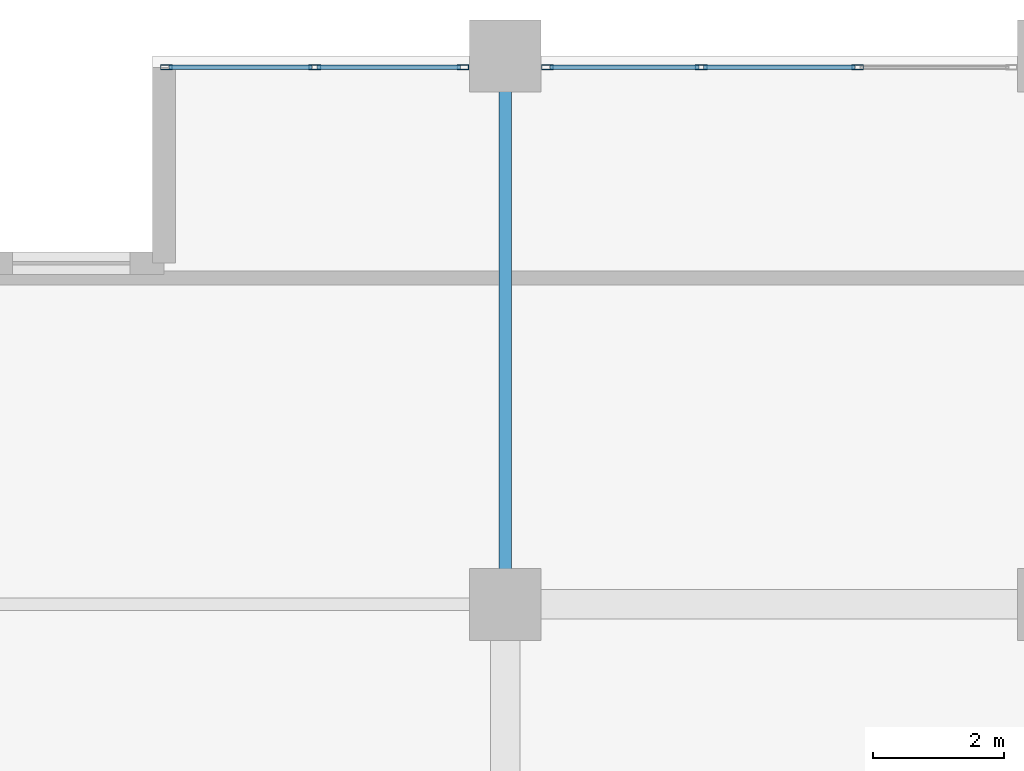
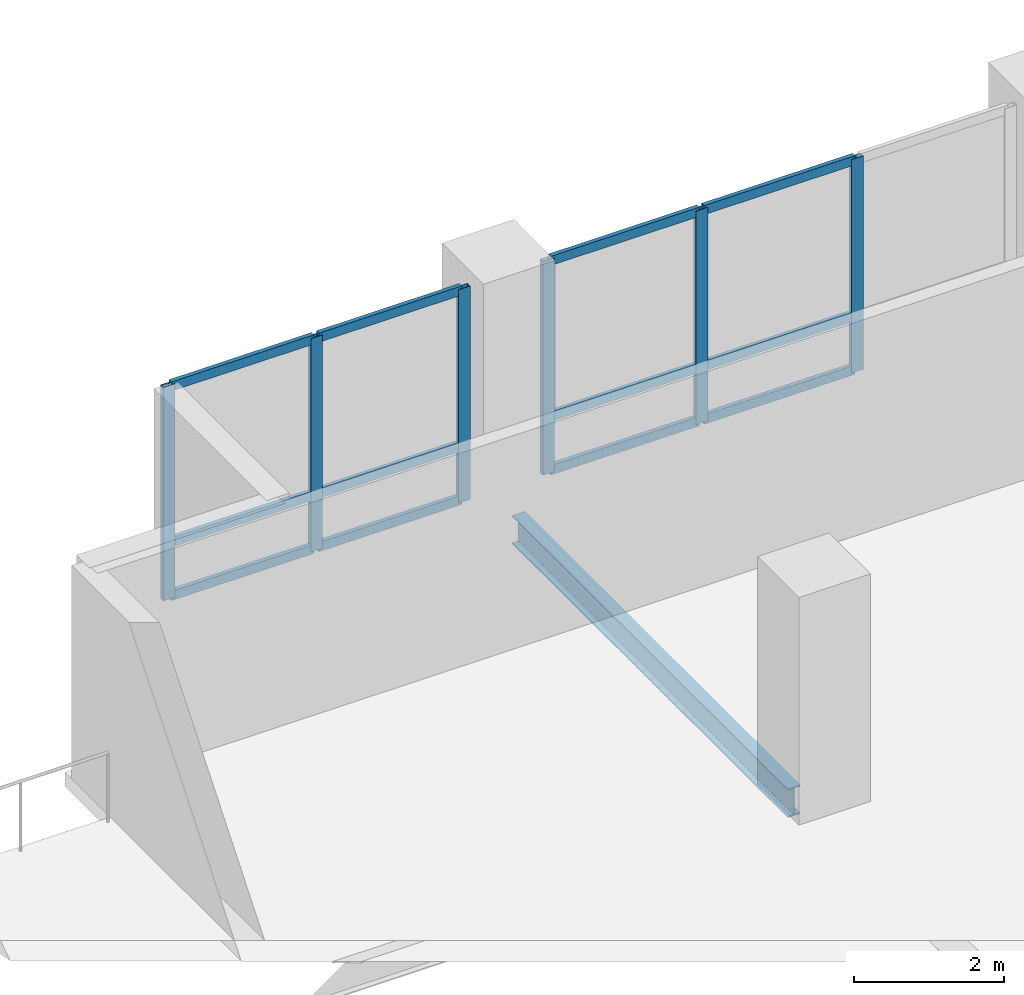
# One storey, part 3 of 20: 18 members, 1 beam, 2 elements without a shape of their own.
"""IFC4 building model written with IfcOpenShell, lengths in metres."""

from ifc_helpers import new_model, si_unit, direction, frame, origin, origin_2d, place, context, subcontext, project, spatial, hollow_rectangle, i_section, extrude, material, layer, layer_set, material_profile, profile_set, type_object, element, aggregate, save


model = new_model("IFC4")

# Units and contexts
model_context = context("Model", 3, precision=1e-05, world=origin(), true_north=direction((0.0, 1.0)))
body_context = subcontext(model_context, "Body", "Model", "MODEL_VIEW")
ifc_project = project(units=[si_unit("LENGTHUNIT", "METRE"), si_unit("AREAUNIT", "SQUARE_METRE"), si_unit("VOLUMEUNIT", "CUBIC_METRE"), si_unit("PLANEANGLEUNIT", "RADIAN"), si_unit("MASSUNIT", "GRAM", prefix="KILO")], contexts=[model_context])

# Site, building, storey
site_placement = place(None, origin())
site = spatial("IfcSite", under=ifc_project, at=site_placement, CompositionType="ELEMENT")
building_placement = place(site_placement, origin())
building = spatial("IfcBuilding", under=site, at=building_placement, Name="Koriwani Terraces Tower", CompositionType="ELEMENT")
storey_placement = place(building_placement, frame((0.0, 0.0, 175.39990234375)))
storey = spatial("IfcBuildingStorey", under=building, at=storey_placement, Name="L42", CompositionType="ELEMENT", Elevation=175.39990234375)

# Curtain wall, members
ifc_material_1 = material(Name="Anodised Bronze Aluminium", Category="aluminium")
ifc_layer = layer(ifc_material_1, 0.169921875, Name="Anodised Bronze Aluminium")
ifc_layer_set = layer_set([ifc_layer], Name="Anodised Bronze Aluminium")
curtain_wall_type = type_object("IfcCurtainWallType", Name="CW_RES_ZONE3", PredefinedType="NOTDEFINED", material=ifc_layer_set)
curtain_wall_1_placement = place(storey_placement, origin())
curtain_wall_1 = element("IfcCurtainWall", 1, at=curtain_wall_1_placement, inside=storey, type_object=curtain_wall_type, Name="L42 Unitised Curtain Wall (N_TIP) Bay 1", PredefinedType="NOTDEFINED")
ifc_material_profile_1 = material_profile(ifc_material_1, hollow_rectangle(XDim=0.074951171875, YDim=0.179931640625, WallThickness=0.006103515625, at=origin_2d()), Name="Anodised Bronze Aluminium", Category="LoadBearing")
ifc_profile_set_1 = profile_set([ifc_material_profile_1], Name="Anodised Bronze Aluminium")
member_type_1 = type_object("IfcMemberType", Name="CW_MULLION_180X75", PredefinedType="MULLION", material=ifc_profile_set_1)
member_1_placement = place(storey_placement, frame((3.21240234375, 75.425048828125, 0.0), z_axis=(0.0, 0.0, 1.0), x_axis=(0.0, 1.0, 0.0)))
member_1 = element("IfcMember", 2, at=member_1_placement, type_object=member_type_1, Name="CW-Z3 mullion 1", PredefinedType="MULLION", context=body_context, shape_type="SweptSolid", body=[
    extrude(hollow_rectangle(XDim=0.074951171875, YDim=0.179931640625, WallThickness=0.006103515625, at=origin_2d()), origin(), (0.0, 0.0, 1.0), 3.47021484375),
])
member_2_placement = place(storey_placement, frame((5.482421875, 75.425048828125, 0.0), z_axis=(0.0, 0.0, 1.0), x_axis=(0.0, 1.0, 0.0)))
member_2 = element("IfcMember", 3, at=member_2_placement, type_object=member_type_1, Name="CW-Z3 mullion 2", PredefinedType="MULLION", context=body_context, shape_type="SweptSolid", body=[
    extrude(hollow_rectangle(XDim=0.074951171875, YDim=0.179931640625, WallThickness=0.006103515625, at=origin_2d()), origin(), (0.0, 0.0, 1.0), 3.47021484375),
])
member_3_placement = place(storey_placement, frame((7.75244140625, 75.425048828125, 0.0), z_axis=(0.0, 0.0, 1.0), x_axis=(0.0, 1.0, 0.0)))
member_3 = element("IfcMember", 4, at=member_3_placement, type_object=member_type_1, Name="CW-Z3 mullion 3", PredefinedType="MULLION", context=body_context, shape_type="SweptSolid", body=[
    extrude(hollow_rectangle(XDim=0.074951171875, YDim=0.179931640625, WallThickness=0.006103515625, at=origin_2d()), origin(), (0.0, 0.0, 1.0), 3.47021484375),
])

curtain_wall_2_placement = place(storey_placement, origin())
curtain_wall_2 = element("IfcCurtainWall", 5, at=curtain_wall_2_placement, inside=storey, type_object=curtain_wall_type, Name="L42 Unitised Curtain Wall (N_TIP) Bay 2", PredefinedType="NOTDEFINED")
member_4_placement = place(storey_placement, frame((9.047607421875, 75.425048828125, 0.0), z_axis=(0.0, 0.0, 1.0), x_axis=(0.0, 1.0, 0.0)))
member_4 = element("IfcMember", 6, at=member_4_placement, type_object=member_type_1, Name="CW-Z3 mullion 1", PredefinedType="MULLION", context=body_context, shape_type="SweptSolid", body=[
    extrude(hollow_rectangle(XDim=0.074951171875, YDim=0.179931640625, WallThickness=0.006103515625, at=origin_2d()), origin(), (0.0, 0.0, 1.0), 3.47021484375),
])
member_5_placement = place(storey_placement, frame((11.4033203125, 75.425048828125, 0.0), z_axis=(0.0, 0.0, 1.0), x_axis=(0.0, 1.0, 0.0)))
member_5 = element("IfcMember", 7, at=member_5_placement, type_object=member_type_1, Name="CW-Z3 mullion 2", PredefinedType="MULLION", context=body_context, shape_type="SweptSolid", body=[
    extrude(hollow_rectangle(XDim=0.074951171875, YDim=0.179931640625, WallThickness=0.006103515625, at=origin_2d()), origin(), (0.0, 0.0, 1.0), 3.47021484375),
])
member_6_placement = place(storey_placement, frame((13.796630859375, 75.425048828125, 0.0), z_axis=(0.0, 0.0, 1.0), x_axis=(0.0, 1.0, 0.0)))
member_6 = element("IfcMember", 8, at=member_6_placement, type_object=member_type_1, Name="CW-Z3 mullion 3", PredefinedType="MULLION", context=body_context, shape_type="SweptSolid", body=[
    extrude(hollow_rectangle(XDim=0.074951171875, YDim=0.179931640625, WallThickness=0.006103515625, at=origin_2d()), origin(), (0.0, 0.0, 1.0), 3.47021484375),
])

# Member
ifc_material_profile_2 = material_profile(ifc_material_1, hollow_rectangle(XDim=0.06494140625, YDim=0.14990234375, WallThickness=0.0048828125, at=origin_2d()), Name="Anodised Bronze Aluminium", Category="LoadBearing")
ifc_profile_set_2 = profile_set([ifc_material_profile_2], Name="Anodised Bronze Aluminium")
member_type_2 = type_object("IfcMemberType", Name="CW_TRANSOM_150X65", PredefinedType="USERDEFINED", material=ifc_profile_set_2)
member_7_placement = place(storey_placement, frame((3.25, 75.425048828125, 0.03271484375), z_axis=(1.0, 0.0, 0.0), x_axis=(0.0, 1.0, 0.0)))
member_7 = element("IfcMember", 9, at=member_7_placement, type_object=member_type_2, Name="CW-Z3 transom 1.1", ObjectType="TRANSOM", PredefinedType="USERDEFINED", context=body_context, shape_type="SweptSolid", body=[
    extrude(hollow_rectangle(XDim=0.06494140625, YDim=0.14990234375, WallThickness=0.0048828125, at=origin_2d()), origin(), (0.0, 0.0, 1.0), 2.195068359375),
])

member_8_placement = place(storey_placement, frame((3.25, 75.425048828125, 0.900146484375), z_axis=(1.0, 0.0, 0.0), x_axis=(0.0, 1.0, 0.0)))
member_8 = element("IfcMember", 10, at=member_8_placement, type_object=member_type_2, Name="CW-Z3 transom 1.2", ObjectType="TRANSOM", PredefinedType="USERDEFINED", context=body_context, shape_type="SweptSolid", body=[
    extrude(hollow_rectangle(XDim=0.06494140625, YDim=0.14990234375, WallThickness=0.0048828125, at=origin_2d()), origin(), (0.0, 0.0, 1.0), 2.195068359375),
])

member_9_placement = place(storey_placement, frame((3.25, 75.425048828125, 3.4375), z_axis=(1.0, 0.0, 0.0), x_axis=(0.0, 1.0, 0.0)))
member_9 = element("IfcMember", 11, at=member_9_placement, type_object=member_type_2, Name="CW-Z3 transom 1.3", ObjectType="TRANSOM", PredefinedType="USERDEFINED", context=body_context, shape_type="SweptSolid", body=[
    extrude(hollow_rectangle(XDim=0.06494140625, YDim=0.14990234375, WallThickness=0.0048828125, at=origin_2d()), origin(), (0.0, 0.0, 1.0), 2.195068359375),
])

member_10_placement = place(storey_placement, frame((5.52001953125, 75.425048828125, 0.03271484375), z_axis=(1.0, 0.0, 0.0), x_axis=(0.0, 1.0, 0.0)))
member_10 = element("IfcMember", 12, at=member_10_placement, type_object=member_type_2, Name="CW-Z3 transom 2.1", ObjectType="TRANSOM", PredefinedType="USERDEFINED", context=body_context, shape_type="SweptSolid", body=[
    extrude(hollow_rectangle(XDim=0.06494140625, YDim=0.14990234375, WallThickness=0.0048828125, at=origin_2d()), origin(), (0.0, 0.0, 1.0), 2.195068359375),
])

member_11_placement = place(storey_placement, frame((5.52001953125, 75.425048828125, 0.900146484375), z_axis=(1.0, 0.0, 0.0), x_axis=(0.0, 1.0, 0.0)))
member_11 = element("IfcMember", 13, at=member_11_placement, type_object=member_type_2, Name="CW-Z3 transom 2.2", ObjectType="TRANSOM", PredefinedType="USERDEFINED", context=body_context, shape_type="SweptSolid", body=[
    extrude(hollow_rectangle(XDim=0.06494140625, YDim=0.14990234375, WallThickness=0.0048828125, at=origin_2d()), origin(), (0.0, 0.0, 1.0), 2.195068359375),
])

member_12_placement = place(storey_placement, frame((5.52001953125, 75.425048828125, 3.4375), z_axis=(1.0, 0.0, 0.0), x_axis=(0.0, 1.0, 0.0)))
member_12 = element("IfcMember", 14, at=member_12_placement, type_object=member_type_2, Name="CW-Z3 transom 2.3", ObjectType="TRANSOM", PredefinedType="USERDEFINED", context=body_context, shape_type="SweptSolid", body=[
    extrude(hollow_rectangle(XDim=0.06494140625, YDim=0.14990234375, WallThickness=0.0048828125, at=origin_2d()), origin(), (0.0, 0.0, 1.0), 2.195068359375),
])

aggregate(curtain_wall_1, [member_1, member_2, member_3, member_7, member_8, member_9, member_10, member_11, member_12])

member_13_placement = place(storey_placement, frame((9.0849609375, 75.425048828125, 0.03271484375), z_axis=(1.0, 0.0, 0.0), x_axis=(0.0, 1.0, 0.0)))
member_13 = element("IfcMember", 15, at=member_13_placement, type_object=member_type_2, Name="CW-Z3 transom 1.1", ObjectType="TRANSOM", PredefinedType="USERDEFINED", context=body_context, shape_type="SweptSolid", body=[
    extrude(hollow_rectangle(XDim=0.06494140625, YDim=0.14990234375, WallThickness=0.0048828125, at=origin_2d()), origin(), (0.0, 0.0, 1.0), 2.28076171875),
])

member_14_placement = place(storey_placement, frame((9.0849609375, 75.425048828125, 0.900146484375), z_axis=(1.0, 0.0, 0.0), x_axis=(0.0, 1.0, 0.0)))
member_14 = element("IfcMember", 16, at=member_14_placement, type_object=member_type_2, Name="CW-Z3 transom 1.2", ObjectType="TRANSOM", PredefinedType="USERDEFINED", context=body_context, shape_type="SweptSolid", body=[
    extrude(hollow_rectangle(XDim=0.06494140625, YDim=0.14990234375, WallThickness=0.0048828125, at=origin_2d()), origin(), (0.0, 0.0, 1.0), 2.28076171875),
])

member_15_placement = place(storey_placement, frame((9.0849609375, 75.425048828125, 3.4375), z_axis=(1.0, 0.0, 0.0), x_axis=(0.0, 1.0, 0.0)))
member_15 = element("IfcMember", 17, at=member_15_placement, type_object=member_type_2, Name="CW-Z3 transom 1.3", ObjectType="TRANSOM", PredefinedType="USERDEFINED", context=body_context, shape_type="SweptSolid", body=[
    extrude(hollow_rectangle(XDim=0.06494140625, YDim=0.14990234375, WallThickness=0.0048828125, at=origin_2d()), origin(), (0.0, 0.0, 1.0), 2.28076171875),
])

member_16_placement = place(storey_placement, frame((11.44091796875, 75.425048828125, 0.03271484375), z_axis=(1.0, 0.0, 0.0), x_axis=(0.0, 1.0, 0.0)))
member_16 = element("IfcMember", 18, at=member_16_placement, type_object=member_type_2, Name="CW-Z3 transom 2.1", ObjectType="TRANSOM", PredefinedType="USERDEFINED", context=body_context, shape_type="SweptSolid", body=[
    extrude(hollow_rectangle(XDim=0.06494140625, YDim=0.14990234375, WallThickness=0.0048828125, at=origin_2d()), origin(), (0.0, 0.0, 1.0), 2.318359375),
])

member_17_placement = place(storey_placement, frame((11.44091796875, 75.425048828125, 0.900146484375), z_axis=(1.0, 0.0, 0.0), x_axis=(0.0, 1.0, 0.0)))
member_17 = element("IfcMember", 19, at=member_17_placement, type_object=member_type_2, Name="CW-Z3 transom 2.2", ObjectType="TRANSOM", PredefinedType="USERDEFINED", context=body_context, shape_type="SweptSolid", body=[
    extrude(hollow_rectangle(XDim=0.06494140625, YDim=0.14990234375, WallThickness=0.0048828125, at=origin_2d()), origin(), (0.0, 0.0, 1.0), 2.318359375),
])

member_18_placement = place(storey_placement, frame((11.44091796875, 75.425048828125, 3.4375), z_axis=(1.0, 0.0, 0.0), x_axis=(0.0, 1.0, 0.0)))
member_18 = element("IfcMember", 20, at=member_18_placement, type_object=member_type_2, Name="CW-Z3 transom 2.3", ObjectType="TRANSOM", PredefinedType="USERDEFINED", context=body_context, shape_type="SweptSolid", body=[
    extrude(hollow_rectangle(XDim=0.06494140625, YDim=0.14990234375, WallThickness=0.0048828125, at=origin_2d()), origin(), (0.0, 0.0, 1.0), 2.318359375),
])

aggregate(curtain_wall_2, [member_4, member_5, member_6, member_13, member_14, member_15, member_16, member_17, member_18])

# Beam
ifc_material_2 = material(Name="Steel ASTM A572 Grade 50", Category="steel")
ifc_material_profile_3 = material_profile(ifc_material_2, i_section(OverallWidth=0.193115234375, OverallDepth=0.462890625, WebThickness=0.0107421875, FlangeThickness=0.017333984375, at=origin_2d()), Name="Steel ASTM A572 Grade 50", Category="LoadBearing")
ifc_profile_set_3 = profile_set([ifc_material_profile_3], Name="Steel ASTM A572 Grade 50")
beam_type = type_object("IfcBeamType", Name="STEEL_BEAM_W460X113", PredefinedType="BEAM", material=ifc_profile_set_3)
beam_placement = place(storey_placement, frame((8.39990234375, 67.72998046875, -0.46142578125), z_axis=(0.0, 1.0, 0.0), x_axis=(-1.0, 0.0, 0.0)))
element("IfcBeam", 21, at=beam_placement, inside=storey, type_object=beam_type, Name="L42 Grid Beam 2 (67.2-75.6m)", PredefinedType="BEAM", context=body_context, shape_type="SweptSolid", body=[
    extrude(i_section(OverallWidth=0.193115234375, OverallDepth=0.462890625, WebThickness=0.0107421875, FlangeThickness=0.017333984375, at=origin_2d()), origin(), (0.0, 0.0, 1.0), 7.340087890625),
])

save(model, "model.ifc")
